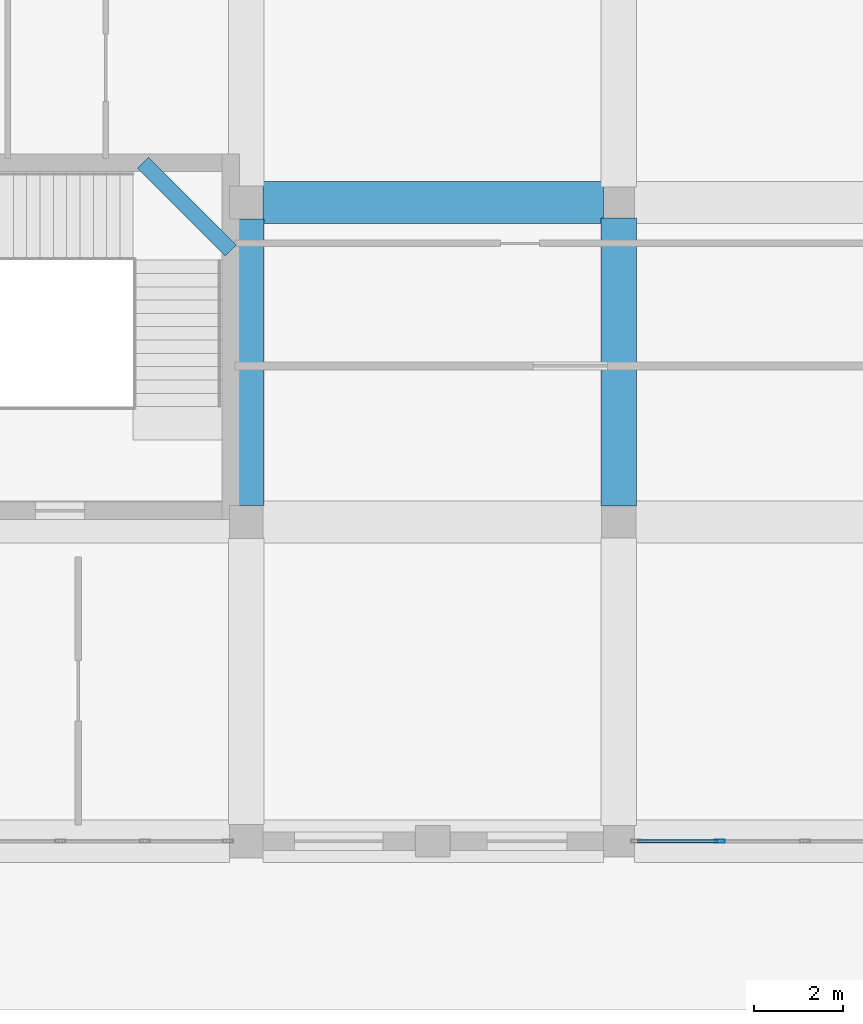
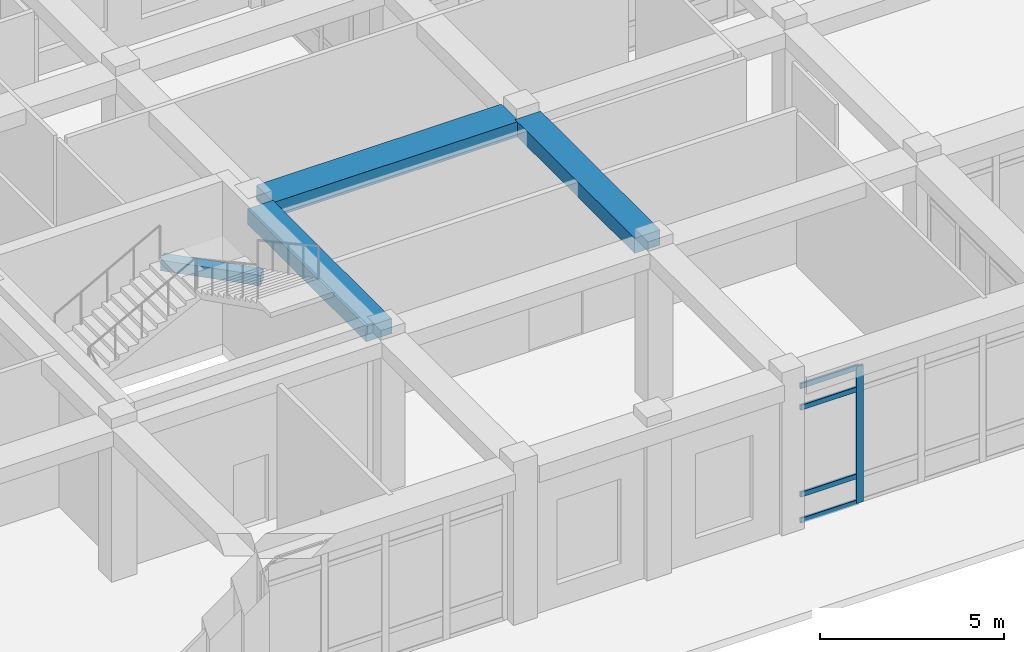
# One storey, part 43 of 84: 5 members, 4 beams, 1 element without a shape of its own.
"""IFC4 building model written with IfcOpenShell, lengths in metres."""

from ifc_helpers import new_model, si_unit, derived_unit, direction, frame, origin, origin_2d, place, context, subcontext, project, spatial, rectangle, hollow_rectangle, extrude, material, material_profile, profile_set, type_object, element, aggregate, save


model = new_model("IFC4")

# Units and contexts
model_context = context("Model", 3, precision=1e-05, world=origin(), true_north=direction((0.0, 1.0)))
body_context = subcontext(model_context, "Body", "Model", "MODEL_VIEW")
ifc_project = project(units=[si_unit("LENGTHUNIT", "METRE"), si_unit("AREAUNIT", "SQUARE_METRE"), si_unit("VOLUMEUNIT", "CUBIC_METRE"), si_unit("PLANEANGLEUNIT", "RADIAN"), si_unit("MASSUNIT", "GRAM", prefix="KILO"), derived_unit("THERMALTRANSMITTANCEUNIT", [(si_unit("POWERUNIT", "WATT"), 1), (si_unit("LENGTHUNIT", "METRE"), -2), (si_unit("THERMODYNAMICTEMPERATUREUNIT", "KELVIN"), -1)])], contexts=[model_context])

# Site, building, storey
site_placement = place(None, origin())
site = spatial("IfcSite", under=ifc_project, at=site_placement, CompositionType="ELEMENT")
building_placement = place(site_placement, origin())
building = spatial("IfcBuilding", under=site, at=building_placement, Name="Veybourne Emporium", CompositionType="ELEMENT")
storey_placement = place(building_placement, origin())
storey = spatial("IfcBuildingStorey", under=building, at=storey_placement, Name="L00", CompositionType="ELEMENT", Elevation=0.0)

# Curtain wall, members
ifc_material_1 = material(Name="Patinated Architectural Bronze", Category="bronze")
curtain_wall_type = type_object("IfcCurtainWallType", Name="CWSystem_CWS-17", PredefinedType="NOTDEFINED", material=ifc_material_1)
curtain_wall_placement = place(storey_placement, origin())
curtain_wall = element("IfcCurtainWall", 1, at=curtain_wall_placement, inside=storey, type_object=curtain_wall_type, Name="L00 bronze glazed curtain wall CWS-17 (070)", PredefinedType="NOTDEFINED")
ifc_material_profile_1 = material_profile(ifc_material_1, hollow_rectangle(XDim=0.072021484375, YDim=0.22509765625, WallThickness=0.0048828125, InnerFilletRadius=0.007568359375, OuterFilletRadius=0.012451171875, at=origin_2d()), Name="CWM 72x225x5")
ifc_profile_set_1 = profile_set([ifc_material_profile_1], Name="Patinated Architectural Bronze")
member_type_1 = type_object("IfcMemberType", Name="CWMullion_CW-M1", PredefinedType="MULLION", material=ifc_profile_set_1)
member_1_placement = place(storey_placement, frame((145.074951171875, 0.0, 0.0), z_axis=(0.0, 0.0, 1.0), x_axis=(0.0, -1.0, 0.0)))
member_1 = element("IfcMember", 2, at=member_1_placement, type_object=member_type_1, Name="CWS-17 mullion 4", PredefinedType="MULLION", context=body_context, shape_type="SweptSolid", body=[
    extrude(hollow_rectangle(XDim=0.072021484375, YDim=0.22509765625, WallThickness=0.0048828125, InnerFilletRadius=0.007568359375, OuterFilletRadius=0.012451171875, at=origin_2d()), origin(), (0.0, 0.0, 1.0), 4.530029296875),
])
ifc_material_profile_2 = material_profile(ifc_material_1, hollow_rectangle(XDim=0.072021484375, YDim=0.175048828125, WallThickness=0.0048828125, InnerFilletRadius=0.007568359375, OuterFilletRadius=0.012451171875, at=origin_2d()), Name="CWT 72x175x5")
ifc_profile_set_2 = profile_set([ifc_material_profile_2], Name="Patinated Architectural Bronze")
member_type_2 = type_object("IfcMemberType", Name="CWTransom_CW-T1", PredefinedType="NOTDEFINED", material=ifc_profile_set_2)
member_2_placement = place(storey_placement, frame((145.0390625, 0.0, 0.035888671875), z_axis=(-1.0, 0.0, 0.0), x_axis=(0.0, -1.0, 0.0)))
member_2 = element("IfcMember", 3, at=member_2_placement, type_object=member_type_2, Name="CWS-17 transom 4.1", ObjectType="TRANSOM", PredefinedType="USERDEFINED", context=body_context, shape_type="SweptSolid", body=[
    extrude(hollow_rectangle(XDim=0.072021484375, YDim=0.175048828125, WallThickness=0.0048828125, InnerFilletRadius=0.007568359375, OuterFilletRadius=0.012451171875, at=origin_2d()), origin(), (0.0, 0.0, 1.0), 1.817138671875),
])
member_3_placement = place(storey_placement, frame((145.0390625, 0.0, 0.89990234375), z_axis=(-1.0, 0.0, 0.0), x_axis=(0.0, -1.0, 0.0)))
member_3 = element("IfcMember", 4, at=member_3_placement, type_object=member_type_2, Name="CWS-17 transom 4.2", ObjectType="TRANSOM", PredefinedType="USERDEFINED", context=body_context, shape_type="SweptSolid", body=[
    extrude(hollow_rectangle(XDim=0.072021484375, YDim=0.175048828125, WallThickness=0.0048828125, InnerFilletRadius=0.007568359375, OuterFilletRadius=0.012451171875, at=origin_2d()), origin(), (0.0, 0.0, 1.0), 1.817138671875),
])
member_4_placement = place(storey_placement, frame((145.0390625, 0.0, 3.780029296875), z_axis=(-1.0, 0.0, 0.0), x_axis=(0.0, -1.0, 0.0)))
member_4 = element("IfcMember", 5, at=member_4_placement, type_object=member_type_2, Name="CWS-17 transom 4.3", ObjectType="TRANSOM", PredefinedType="USERDEFINED", context=body_context, shape_type="SweptSolid", body=[
    extrude(hollow_rectangle(XDim=0.072021484375, YDim=0.175048828125, WallThickness=0.0048828125, InnerFilletRadius=0.007568359375, OuterFilletRadius=0.012451171875, at=origin_2d()), origin(), (0.0, 0.0, 1.0), 1.817138671875),
])
member_5_placement = place(storey_placement, frame((145.0390625, 0.0, 4.493896484375), z_axis=(-1.0, 0.0, 0.0), x_axis=(0.0, -1.0, 0.0)))
member_5 = element("IfcMember", 6, at=member_5_placement, type_object=member_type_2, Name="CWS-17 transom 4.4", ObjectType="TRANSOM", PredefinedType="USERDEFINED", context=body_context, shape_type="SweptSolid", body=[
    extrude(hollow_rectangle(XDim=0.072021484375, YDim=0.175048828125, WallThickness=0.0048828125, InnerFilletRadius=0.007568359375, OuterFilletRadius=0.012451171875, at=origin_2d()), origin(), (0.0, 0.0, 1.0), 1.817138671875),
])
aggregate(curtain_wall, [member_1, member_2, member_3, member_4, member_5])

# Beams
ifc_material_2 = material(Name="Concrete C32/40", Category="concrete")
ifc_material_profile_3 = material_profile(ifc_material_2, rectangle(XDim=0.35009765625, YDim=0.35009765625, at=origin_2d()), Name="RC 350x350")
ifc_profile_set_3 = profile_set([ifc_material_profile_3], Name="Concrete C32/40")
beam_type_1 = type_object("IfcBeamType", Name="LandingBeam_LB-01", PredefinedType="BEAM", material=ifc_profile_set_3)
beam_1_placement = place(storey_placement, frame((132.070068359375, 15.300048828125, 3.22509765625), z_axis=(0.707106781187, -0.707106781187, 0.0), x_axis=(0.707106781187, 0.707106781187, 0.0)))
element("IfcBeam", 7, at=beam_1_placement, inside=storey, type_object=beam_type_1, Name="L00 ST-06 landing 2 support beam", PredefinedType="BEAM", context=body_context, shape_type="SweptSolid", body=[
    extrude(rectangle(XDim=0.35009765625, YDim=0.35009765625, at=origin_2d()), origin(), (0.0, 0.0, 1.0), 2.800048828125),
])
ifc_material_profile_4 = material_profile(ifc_material_2, rectangle(XDim=0.949951171875, YDim=0.5, at=origin_2d()), Name="RC 950x500")
ifc_profile_set_4 = profile_set([ifc_material_profile_4], Name="Concrete C32/40")
beam_type_2 = type_object("IfcBeamType", Name="RCBeam_BB-01", PredefinedType="BEAM", material=ifc_profile_set_4)
beam_2_placement = place(storey_placement, frame((134.77490234375, 14.39990234375, 4.830078125), z_axis=(1.0, 0.0, 0.0), x_axis=(0.0, 1.0, 0.0)))
element("IfcBeam", 8, at=beam_2_placement, inside=storey, type_object=beam_type_2, Name="L00 X-grid beam BB-01 (16,2)", PredefinedType="BEAM", context=body_context, shape_type="SweptSolid", body=[
    extrude(rectangle(XDim=0.949951171875, YDim=0.5, at=origin_2d()), origin(), (0.0, 0.0, 1.0), 7.675048828125),
])
ifc_material_profile_5 = material_profile(ifc_material_2, rectangle(XDim=0.800048828125, YDim=0.5, at=origin_2d()), Name="RC 800x500")
ifc_profile_set_5 = profile_set([ifc_material_profile_5], Name="Concrete C32/40")
beam_type_3 = type_object("IfcBeamType", Name="RCBeam_BB-02", PredefinedType="BEAM", material=ifc_profile_set_5)
beam_3_placement = place(storey_placement, frame((134.39990234375, 7.574951171875, 4.830078125), z_axis=(0.0, 1.0, 0.0), x_axis=(-1.0, 0.0, 0.0)))
element("IfcBeam", 9, at=beam_3_placement, inside=storey, type_object=beam_type_3, Name="L00 Y-grid beam BB-02 (16,1)", PredefinedType="BEAM", context=body_context, shape_type="SweptSolid", body=[
    extrude(rectangle(XDim=0.800048828125, YDim=0.5, at=origin_2d()), origin(), (0.0, 0.0, 1.0), 6.449951171875),
])
beam_4_placement = place(storey_placement, frame((142.800048828125, 7.56005859375, 4.830078125), z_axis=(0.0, 1.0, 0.0), x_axis=(-1.0, 0.0, 0.0)))
element("IfcBeam", 10, at=beam_4_placement, inside=storey, type_object=beam_type_3, Name="L00 Y-grid beam BB-02 (17,1)", PredefinedType="BEAM", context=body_context, shape_type="SweptSolid", body=[
    extrude(rectangle(XDim=0.800048828125, YDim=0.5, at=origin_2d()), origin(), (0.0, 0.0, 1.0), 6.489990234375),
])

save(model, "model.ifc")
